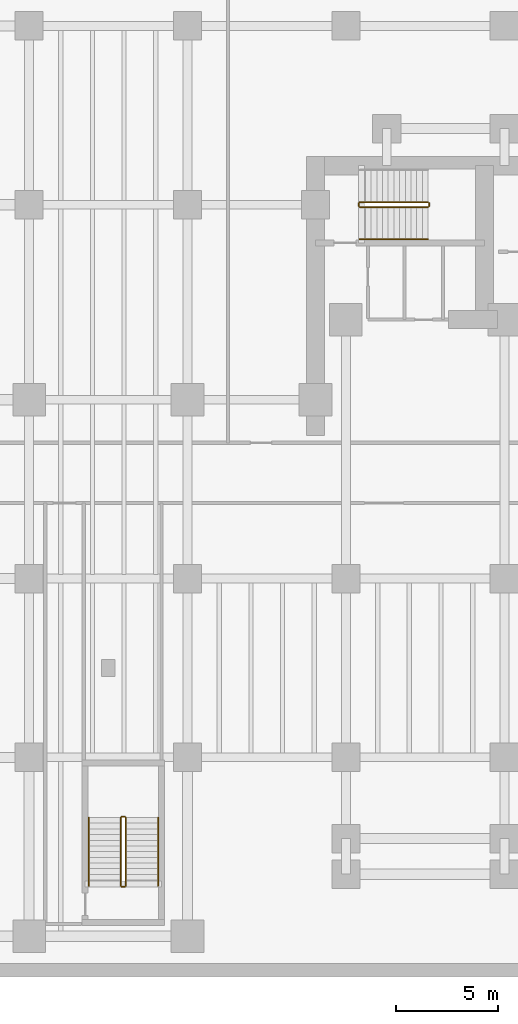
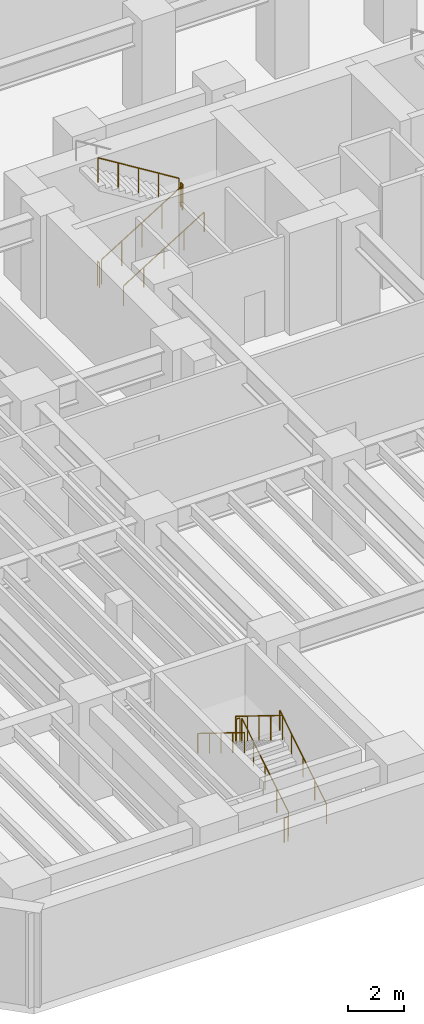
# One storey, part 8 of 9: 11 railings.
"""IFC4 building model written with IfcOpenShell, lengths in metres."""

from ifc_helpers import new_model, si_unit, direction, frame, origin, origin_2d, place, context, subcontext, project, spatial, circle, extrude, material, type_object, element, save


model = new_model("IFC4")

# Units and contexts
model_context = context("Model", 3, precision=1e-05, world=origin(), true_north=direction((0.0, 1.0)))
body_context = subcontext(model_context, "Body", "Model", "MODEL_VIEW")
ifc_project = project(units=[si_unit("LENGTHUNIT", "METRE"), si_unit("AREAUNIT", "SQUARE_METRE"), si_unit("VOLUMEUNIT", "CUBIC_METRE"), si_unit("PLANEANGLEUNIT", "RADIAN"), si_unit("MASSUNIT", "GRAM", prefix="KILO")], contexts=[model_context])

# Site, building, storey
site_placement = place(None, origin())
site = spatial("IfcSite", under=ifc_project, at=site_placement, CompositionType="ELEMENT")
building_placement = place(site_placement, origin())
building = spatial("IfcBuilding", under=site, at=building_placement, Name="Kestravale Grand Hotel", CompositionType="ELEMENT")
storey_placement = place(building_placement, frame((0.0, 0.0, -4.5)))
storey = spatial("IfcBuildingStorey", under=building, at=storey_placement, Name="B1", CompositionType="ELEMENT", Elevation=-4.5)

# Railings
ifc_material_1 = material(Name="Painted tubular steel stair well guard", Category="steel")
railing_type_1 = type_object("IfcRailingType", Name="RL-ST-GRD1100", PredefinedType="GUARDRAIL", material=ifc_material_1)
railing_1_placement = place(storey_placement, frame((24.080078125, 38.280029296875, 0.173095703125)))
element("IfcRailing", 1, at=railing_1_placement, inside=storey, type_object=railing_type_1, Name="B1 ST-1 stair guard 1", PredefinedType="GUARDRAIL", context=body_context, shape_type="SweptSolid", body=[
    extrude(circle(Radius=0.02392578125, at=origin_2d()), frame((0.0, 0.0, 1.076171875), z_axis=(0.850606129759, 0.0, 0.525803396734), x_axis=(0.0, 1.0, 0.0)), (0.0, 0.0, 1.0), 3.949951171875),
    extrude(circle(Radius=0.02099609375, at=origin_2d()), origin(), (0.0, 0.0, 1.0), 1.052001953125),
    extrude(circle(Radius=0.02099609375, at=origin_2d()), frame((0.83984375, 0.0, 0.519287109375)), (0.0, 0.0, 1.0), 1.052001953125),
    extrude(circle(Radius=0.02099609375, at=origin_2d()), frame((1.679931640625, 0.0, 1.03857421875)), (0.0, 0.0, 1.0), 1.052001953125),
    extrude(circle(Radius=0.02099609375, at=origin_2d()), frame((2.52001953125, 0.0, 1.5576171875)), (0.0, 0.0, 1.0), 1.052001953125),
    extrude(circle(Radius=0.02099609375, at=origin_2d()), frame((3.35986328125, 0.0, 2.076904296875)), (0.0, 0.0, 1.0), 1.052001953125),
])
railing_2_placement = place(storey_placement, frame((27.489990234375, 38.330078125, 2.25)))
element("IfcRailing", 2, at=railing_2_placement, inside=storey, type_object=railing_type_1, Name="B1 ST-1 stair guard 2", PredefinedType="GUARDRAIL", context=body_context, shape_type="SweptSolid", body=[
    extrude(circle(Radius=0.02392578125, at=origin_2d()), frame((0.0, 0.0, 1.076171875), z_axis=(0.0, 1.0, 0.0), x_axis=(-1.0, 0.0, 0.0)), (0.0, 0.0, 1.0), 0.14990234375),
    extrude(circle(Radius=0.02099609375, at=origin_2d()), origin(), (0.0, 0.0, 1.0), 1.052001953125),
    extrude(circle(Radius=0.02099609375, at=origin_2d()), frame((0.0, 0.14990234375, 0.0)), (0.0, 0.0, 1.0), 1.052001953125),
])
railing_3_placement = place(storey_placement, frame((27.43994140625, 38.530029296875, 2.423095703125)))
element("IfcRailing", 3, at=railing_3_placement, inside=storey, type_object=railing_type_1, Name="B1 ST-1 stair guard 3", PredefinedType="GUARDRAIL", context=body_context, shape_type="SweptSolid", body=[
    extrude(circle(Radius=0.02392578125, at=origin_2d()), frame((0.0, 0.0, 1.076171875), z_axis=(-0.850606129759, 0.0, 0.525803396734), x_axis=(0.0, -1.0, 0.0)), (0.0, 0.0, 1.0), 3.949951171875),
    extrude(circle(Radius=0.02099609375, at=origin_2d()), origin(), (0.0, 0.0, 1.0), 1.052001953125),
    extrude(circle(Radius=0.02099609375, at=origin_2d()), frame((-0.83984375, 0.0, 0.519287109375)), (0.0, 0.0, 1.0), 1.052001953125),
    extrude(circle(Radius=0.02099609375, at=origin_2d()), frame((-1.679931640625, 0.0, 1.03857421875)), (0.0, 0.0, 1.0), 1.052001953125),
    extrude(circle(Radius=0.02099609375, at=origin_2d()), frame((-2.52001953125, 0.0, 1.5576171875)), (0.0, 0.0, 1.0), 1.052001953125),
    extrude(circle(Radius=0.02099609375, at=origin_2d()), frame((-3.35986328125, 0.0, 2.076904296875)), (0.0, 0.0, 1.0), 1.052001953125),
])
railing_4_placement = place(storey_placement, frame((24.030029296875, 38.330078125, 0.0)))
element("IfcRailing", 4, at=railing_4_placement, inside=storey, type_object=railing_type_1, Name="B1 ST-1 stair guard 4", PredefinedType="GUARDRAIL", context=body_context, shape_type="SweptSolid", body=[
    extrude(circle(Radius=0.02392578125, at=origin_2d()), frame((0.0, 0.0, 1.076171875), z_axis=(0.0, 1.0, 0.0), x_axis=(-1.0, 0.0, 0.0)), (0.0, 0.0, 1.0), 0.14990234375),
    extrude(circle(Radius=0.02099609375, at=origin_2d()), origin(), (0.0, 0.0, 1.0), 1.052001953125),
    extrude(circle(Radius=0.02099609375, at=origin_2d()), frame((0.0, 0.14990234375, 0.0)), (0.0, 0.0, 1.0), 1.052001953125),
])
railing_5_placement = place(storey_placement, frame((12.570068359375, 4.8798828125, 0.173095703125)))
element("IfcRailing", 5, at=railing_5_placement, inside=storey, type_object=railing_type_1, Name="B1 ST-4 stair guard 1", PredefinedType="GUARDRAIL", context=body_context, shape_type="SweptSolid", body=[
    extrude(circle(Radius=0.02392578125, at=origin_2d()), frame((0.0, 0.0, 1.076171875), z_axis=(0.0, 0.850623216509, 0.525775754039), x_axis=(-1.0, 0.0, 0.0)), (0.0, 0.0, 1.0), 3.9501953125),
    extrude(circle(Radius=0.02099609375, at=origin_2d()), origin(), (0.0, 0.0, 1.0), 1.052001953125),
    extrude(circle(Radius=0.02099609375, at=origin_2d()), frame((0.0, 0.840087890625, 0.519287109375)), (0.0, 0.0, 1.0), 1.052001953125),
    extrude(circle(Radius=0.02099609375, at=origin_2d()), frame((0.0, 1.68017578125, 1.03857421875)), (0.0, 0.0, 1.0), 1.052001953125),
    extrude(circle(Radius=0.02099609375, at=origin_2d()), frame((0.0, 2.52001953125, 1.5576171875)), (0.0, 0.0, 1.0), 1.052001953125),
    extrude(circle(Radius=0.02099609375, at=origin_2d()), frame((0.0, 3.360107421875, 2.076904296875)), (0.0, 0.0, 1.0), 1.052001953125),
])
railing_6_placement = place(storey_placement, frame((12.52001953125, 8.2900390625, 2.25)))
element("IfcRailing", 6, at=railing_6_placement, inside=storey, type_object=railing_type_1, Name="B1 ST-4 stair guard 2", PredefinedType="GUARDRAIL", context=body_context, shape_type="SweptSolid", body=[
    extrude(circle(Radius=0.02392578125, at=origin_2d()), frame((0.0, 0.0, 1.076171875), z_axis=(-1.0, 0.0, 0.0), x_axis=(0.0, -1.0, 0.0)), (0.0, 0.0, 1.0), 0.14990234375),
    extrude(circle(Radius=0.02099609375, at=origin_2d()), origin(), (0.0, 0.0, 1.0), 1.052001953125),
    extrude(circle(Radius=0.02099609375, at=origin_2d()), frame((-0.14990234375, 0.0, 0.0)), (0.0, 0.0, 1.0), 1.052001953125),
])
railing_7_placement = place(storey_placement, frame((12.320068359375, 8.239990234375, 2.423095703125)))
element("IfcRailing", 7, at=railing_7_placement, inside=storey, type_object=railing_type_1, Name="B1 ST-4 stair guard 3", PredefinedType="GUARDRAIL", context=body_context, shape_type="SweptSolid", body=[
    extrude(circle(Radius=0.02392578125, at=origin_2d()), frame((0.0, 0.0, 1.076171875), z_axis=(0.0, -0.850623216509, 0.525775754039), x_axis=(1.0, 0.0, 0.0)), (0.0, 0.0, 1.0), 3.9501953125),
    extrude(circle(Radius=0.02099609375, at=origin_2d()), origin(), (0.0, 0.0, 1.0), 1.052001953125),
    extrude(circle(Radius=0.02099609375, at=origin_2d()), frame((0.0, -0.840087890625, 0.519287109375)), (0.0, 0.0, 1.0), 1.052001953125),
    extrude(circle(Radius=0.02099609375, at=origin_2d()), frame((0.0, -1.68017578125, 1.03857421875)), (0.0, 0.0, 1.0), 1.052001953125),
    extrude(circle(Radius=0.02099609375, at=origin_2d()), frame((0.0, -2.52001953125, 1.5576171875)), (0.0, 0.0, 1.0), 1.052001953125),
    extrude(circle(Radius=0.02099609375, at=origin_2d()), frame((0.0, -3.360107421875, 2.076904296875)), (0.0, 0.0, 1.0), 1.052001953125),
])
railing_8_placement = place(storey_placement, frame((12.52001953125, 4.830078125, 0.0)))
element("IfcRailing", 8, at=railing_8_placement, inside=storey, type_object=railing_type_1, Name="B1 ST-4 stair guard 4", PredefinedType="GUARDRAIL", context=body_context, shape_type="SweptSolid", body=[
    extrude(circle(Radius=0.02392578125, at=origin_2d()), frame((0.0, 0.0, 1.076171875), z_axis=(-1.0, 0.0, 0.0), x_axis=(0.0, -1.0, 0.0)), (0.0, 0.0, 1.0), 0.14990234375),
    extrude(circle(Radius=0.02099609375, at=origin_2d()), origin(), (0.0, 0.0, 1.0), 1.052001953125),
    extrude(circle(Radius=0.02099609375, at=origin_2d()), frame((-0.14990234375, 0.0, 0.0)), (0.0, 0.0, 1.0), 1.052001953125),
])
ifc_material_2 = material(Name="Brushed stainless steel wall handrail", Category="steel")
railing_type_2 = type_object("IfcRailingType", Name="RL-ST-HND900", PredefinedType="HANDRAIL", material=ifc_material_2)
railing_9_placement = place(storey_placement, frame((24.080078125, 36.699951171875, 0.173095703125)))
element("IfcRailing", 9, at=railing_9_placement, inside=storey, type_object=railing_type_2, Name="B1 ST-1 stair handrail 1", PredefinedType="HANDRAIL", context=body_context, shape_type="SweptSolid", body=[
    extrude(circle(Radius=0.02392578125, at=origin_2d()), frame((0.0, 0.0, 0.8759765625), z_axis=(0.850606129759, 0.0, 0.525803396734), x_axis=(0.0, 1.0, 0.0)), (0.0, 0.0, 1.0), 3.949951171875),
    extrude(circle(Radius=0.02099609375, at=origin_2d()), origin(), (0.0, 0.0, 1.0), 0.851806640625),
    extrude(circle(Radius=0.02099609375, at=origin_2d()), frame((0.83984375, 0.0, 0.519287109375)), (0.0, 0.0, 1.0), 0.851806640625),
    extrude(circle(Radius=0.02099609375, at=origin_2d()), frame((1.679931640625, 0.0, 1.03857421875)), (0.0, 0.0, 1.0), 0.851806640625),
    extrude(circle(Radius=0.02099609375, at=origin_2d()), frame((2.52001953125, 0.0, 1.5576171875)), (0.0, 0.0, 1.0), 0.851806640625),
    extrude(circle(Radius=0.02099609375, at=origin_2d()), frame((3.35986328125, 0.0, 2.076904296875)), (0.0, 0.0, 1.0), 0.851806640625),
])
railing_10_placement = place(storey_placement, frame((14.14990234375, 4.8798828125, 0.173095703125)))
element("IfcRailing", 10, at=railing_10_placement, inside=storey, type_object=railing_type_2, Name="B1 ST-4 stair handrail 1", PredefinedType="HANDRAIL", context=body_context, shape_type="SweptSolid", body=[
    extrude(circle(Radius=0.02392578125, at=origin_2d()), frame((0.0, 0.0, 0.8759765625), z_axis=(0.0, 0.850623216509, 0.525775754039), x_axis=(-1.0, 0.0, 0.0)), (0.0, 0.0, 1.0), 3.9501953125),
    extrude(circle(Radius=0.02099609375, at=origin_2d()), origin(), (0.0, 0.0, 1.0), 0.851806640625),
    extrude(circle(Radius=0.02099609375, at=origin_2d()), frame((0.0, 0.840087890625, 0.519287109375)), (0.0, 0.0, 1.0), 0.851806640625),
    extrude(circle(Radius=0.02099609375, at=origin_2d()), frame((0.0, 1.68017578125, 1.03857421875)), (0.0, 0.0, 1.0), 0.851806640625),
    extrude(circle(Radius=0.02099609375, at=origin_2d()), frame((0.0, 2.52001953125, 1.5576171875)), (0.0, 0.0, 1.0), 0.851806640625),
    extrude(circle(Radius=0.02099609375, at=origin_2d()), frame((0.0, 3.360107421875, 2.076904296875)), (0.0, 0.0, 1.0), 0.851806640625),
])
railing_11_placement = place(storey_placement, frame((10.739990234375, 8.239990234375, 2.423095703125)))
element("IfcRailing", 11, at=railing_11_placement, inside=storey, type_object=railing_type_2, Name="B1 ST-4 stair handrail 2", PredefinedType="HANDRAIL", context=body_context, shape_type="SweptSolid", body=[
    extrude(circle(Radius=0.02392578125, at=origin_2d()), frame((0.0, 0.0, 0.8759765625), z_axis=(0.0, -0.850623216509, 0.525775754039), x_axis=(1.0, 0.0, 0.0)), (0.0, 0.0, 1.0), 3.9501953125),
    extrude(circle(Radius=0.02099609375, at=origin_2d()), origin(), (0.0, 0.0, 1.0), 0.851806640625),
    extrude(circle(Radius=0.02099609375, at=origin_2d()), frame((0.0, -0.840087890625, 0.519287109375)), (0.0, 0.0, 1.0), 0.851806640625),
    extrude(circle(Radius=0.02099609375, at=origin_2d()), frame((0.0, -1.68017578125, 1.03857421875)), (0.0, 0.0, 1.0), 0.851806640625),
    extrude(circle(Radius=0.02099609375, at=origin_2d()), frame((0.0, -2.52001953125, 1.5576171875)), (0.0, 0.0, 1.0), 0.851806640625),
    extrude(circle(Radius=0.02099609375, at=origin_2d()), frame((0.0, -3.360107421875, 2.076904296875)), (0.0, 0.0, 1.0), 0.851806640625),
])

save(model, "model.ifc")
